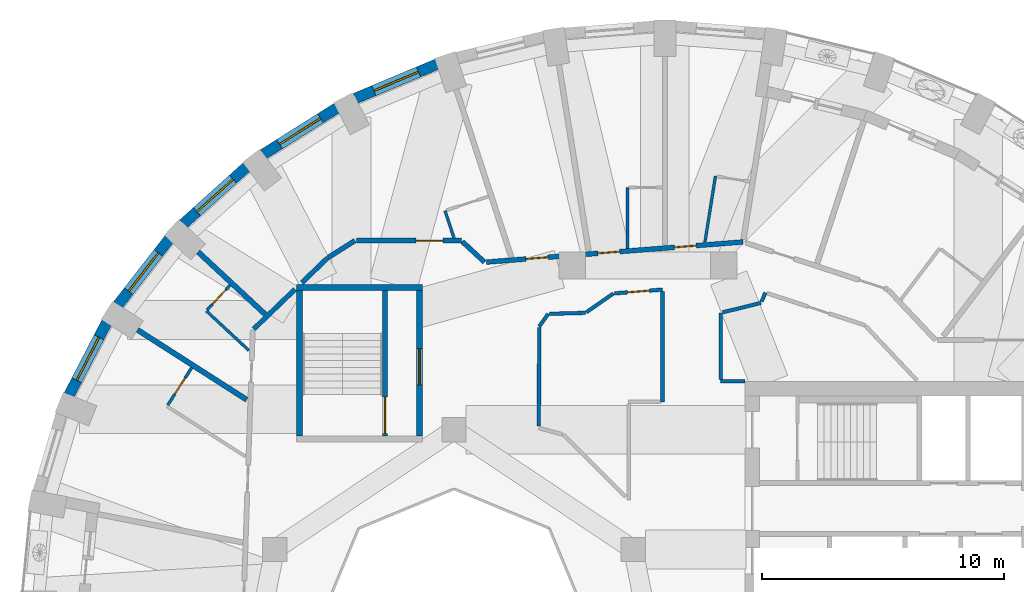
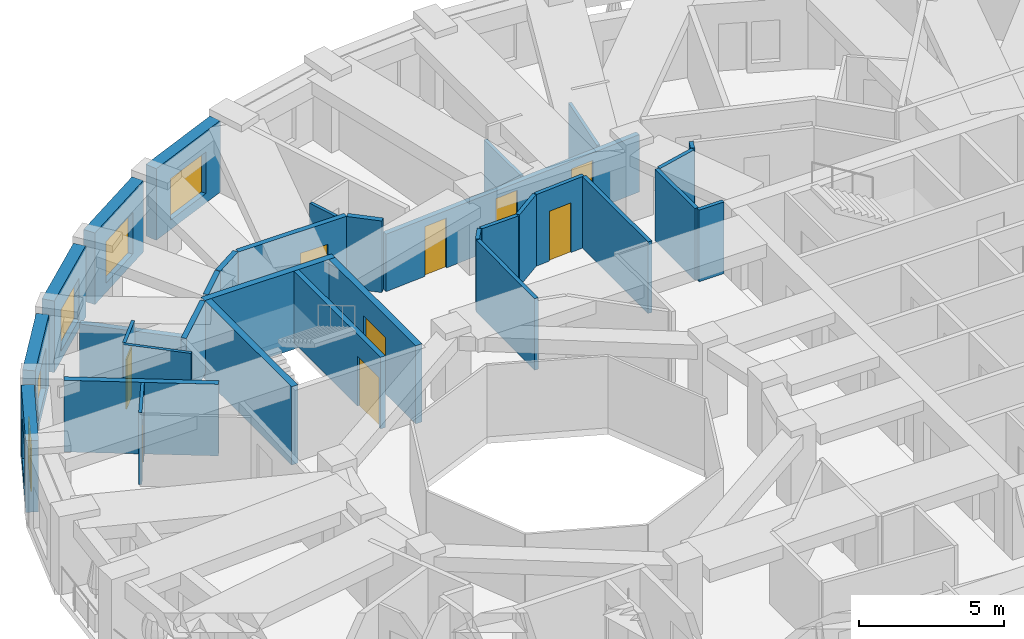
# One storey, part 7 of 12: 33 walls, 9 doors, 5 windows, 14 openings.
"""IFC4 building model written with IfcOpenShell, lengths in metres."""

from ifc_helpers import new_model, si_unit, direction, frame, frame_2d, origin, place, context, subcontext, project, spatial, rectangle, extrude, material, layer, layer_set, type_object, element, fill, save


model = new_model("IFC4")

# Units and contexts
model_context = context("Model", 3, precision=1e-05, world=origin(), true_north=direction((0.0, 1.0)))
body_context = subcontext(model_context, "Body", "Model", "MODEL_VIEW")
ifc_project = project(units=[si_unit("LENGTHUNIT", "METRE"), si_unit("AREAUNIT", "SQUARE_METRE"), si_unit("VOLUMEUNIT", "CUBIC_METRE"), si_unit("PLANEANGLEUNIT", "RADIAN"), si_unit("MASSUNIT", "GRAM", prefix="KILO")], contexts=[model_context])

# Site, building, storey
site_placement = place(None, origin())
site = spatial("IfcSite", under=ifc_project, at=site_placement, CompositionType="ELEMENT")
building_placement = place(site_placement, origin())
building = spatial("IfcBuilding", under=site, at=building_placement, Name="Taillehof Tower", CompositionType="ELEMENT")
storey_placement = place(building_placement, frame((0.0, 0.0, 192.5)))
storey = spatial("IfcBuildingStorey", under=building, at=storey_placement, Name="L54", CompositionType="ELEMENT", Elevation=192.5)

# Wall, opening, window
ifc_material_1 = material(Name="Brick masonry", Category="masonry")
ifc_layer_1 = layer(ifc_material_1, 0.449951171875)
ifc_layer_set_1 = layer_set([ifc_layer_1], Name="Brick infill wall 450")
wall_type_1 = type_object("IfcWallType", Name="Brick infill wall 450", PredefinedType="SOLIDWALL", material=ifc_layer_set_1)
wall_1_placement = place(storey_placement, frame((-8.70263671875, 23.0791015625, 0.0), z_axis=(0.0, 0.0, 1.0), x_axis=(-0.922168222612, -0.386789050006, 0.0)))
wall_1 = element("IfcWall", 1, at=wall_1_placement, inside=storey, type_object=wall_type_1, Name="Brick wall L54 bay 12", PredefinedType="SOLIDWALL", context=body_context, shape_type="SweptSolid", body=[
    extrude(rectangle(XDim=3.65087890625, YDim=0.449951171875, at=frame_2d((1.825439453125, 0.0))), origin(), (0.0, 0.0, 1.0), 3.02001953125),
])
opening_1_placement = place(wall_1_placement, frame((0.825439453125, 0.0, 0.39990234375)))
opening_1 = element("IfcOpeningElement", 2, at=opening_1_placement, cuts=wall_1, Name="Opening W2", PredefinedType="OPENING", context=body_context, shape_type="SweptSolid", body=[
    extrude(rectangle(XDim=2.0, YDim=1.75, at=frame_2d((1.0, 0.875))), frame((0.0, 0.23486328125, 0.0), z_axis=(0.0, -1.0, 0.0), x_axis=(1.0, 0.0, 0.0)), (0.0, 0.0, 1.0), 0.469970703125),
])
ifc_material_2 = material(Name="Aluminium window frame with clear double glazing", Category="aluminium")
window_type = type_object("IfcWindowType", Name="Deep-set window 2000x1750", PartitioningType="SINGLE_PANEL", PredefinedType="WINDOW", material=ifc_material_2)
window_1_placement = place(opening_1_placement, origin())
window_1 = element("IfcWindow", 3, at=window_1_placement, inside=storey, type_object=window_type, Name="W2", OverallHeight=1.75, OverallWidth=2.0, PartitioningType="SINGLE_PANEL", PredefinedType="WINDOW", context=body_context, shape_type="SweptSolid", body=[
    extrude(rectangle(XDim=2.0, YDim=1.75, at=frame_2d((1.0, 0.875))), frame((0.0, 0.034912109375, 0.0), z_axis=(0.0, -1.0, 0.0), x_axis=(1.0, 0.0, 0.0)), (0.0, 0.0, 1.0), 0.06005859375),
])
fill(opening_1, window_1)

wall_2_placement = place(storey_placement, frame((-12.832275390625, 21.27001953125, 0.0), z_axis=(0.0, 0.0, 1.0), x_axis=(-0.846138482752, -0.532963101918, 0.0)))
wall_2 = element("IfcWall", 4, at=wall_2_placement, inside=storey, type_object=wall_type_1, Name="Brick wall L54 bay 13", PredefinedType="SOLIDWALL", context=body_context, shape_type="SweptSolid", body=[
    extrude(rectangle(XDim=3.586669921875, YDim=0.449951171875, at=frame_2d((1.79345703125, 0.0))), origin(), (0.0, 0.0, 1.0), 3.02001953125),
])
opening_2_placement = place(wall_2_placement, frame((0.79345703125, 0.0, 0.39990234375)))
opening_2 = element("IfcOpeningElement", 5, at=opening_2_placement, cuts=wall_2, Name="Opening W2", PredefinedType="OPENING", context=body_context, shape_type="SweptSolid", body=[
    extrude(rectangle(XDim=2.0, YDim=1.75, at=frame_2d((1.0, 0.875))), frame((0.0, 0.23486328125, 0.0), z_axis=(0.0, -1.0, 0.0), x_axis=(1.0, 0.0, 0.0)), (0.0, 0.0, 1.0), 0.469970703125),
])
window_2_placement = place(opening_2_placement, origin())
window_2 = element("IfcWindow", 6, at=window_2_placement, inside=storey, type_object=window_type, Name="W2", OverallHeight=1.75, OverallWidth=2.0, PartitioningType="SINGLE_PANEL", PredefinedType="WINDOW", context=body_context, shape_type="SweptSolid", body=[
    extrude(rectangle(XDim=2.0, YDim=1.75, at=frame_2d((1.0, 0.875))), frame((0.0, 0.034912109375, 0.0), z_axis=(0.0, -1.0, 0.0), x_axis=(1.0, 0.0, 0.0)), (0.0, 0.0, 1.0), 0.06005859375),
])
fill(opening_2, window_2)

wall_3_placement = place(storey_placement, frame((-16.553466796875, 18.83984375, 0.0), z_axis=(0.0, 0.0, 1.0), x_axis=(-0.743442727602, -0.668799604348, 0.0)))
wall_3 = element("IfcWall", 7, at=wall_3_placement, inside=storey, type_object=wall_type_1, Name="Brick wall L54 bay 14", PredefinedType="SOLIDWALL", context=body_context, shape_type="SweptSolid", body=[
    extrude(rectangle(XDim=3.5126953125, YDim=0.449951171875, at=frame_2d((1.75634765625, 0.0))), origin(), (0.0, 0.0, 1.0), 3.02001953125),
])
opening_3_placement = place(wall_3_placement, frame((0.75634765625, 0.0, 0.39990234375)))
opening_3 = element("IfcOpeningElement", 8, at=opening_3_placement, cuts=wall_3, Name="Opening W2", PredefinedType="OPENING", context=body_context, shape_type="SweptSolid", body=[
    extrude(rectangle(XDim=2.0, YDim=1.75, at=frame_2d((1.0, 0.875))), frame((0.0, 0.23486328125, 0.0), z_axis=(0.0, -1.0, 0.0), x_axis=(1.0, 0.0, 0.0)), (0.0, 0.0, 1.0), 0.469970703125),
])
window_3_placement = place(opening_3_placement, origin())
window_3 = element("IfcWindow", 9, at=window_3_placement, inside=storey, type_object=window_type, Name="W2", OverallHeight=1.75, OverallWidth=2.0, PartitioningType="SINGLE_PANEL", PredefinedType="WINDOW", context=body_context, shape_type="SweptSolid", body=[
    extrude(rectangle(XDim=2.0, YDim=1.75, at=frame_2d((1.0, 0.875))), frame((0.0, 0.034912109375, 0.0), z_axis=(0.0, -1.0, 0.0), x_axis=(1.0, 0.0, 0.0)), (0.0, 0.0, 1.0), 0.06005859375),
])
fill(opening_3, window_3)

wall_4_placement = place(storey_placement, frame((-19.751220703125, 15.861083984375, 0.0), z_axis=(0.0, 0.0, 1.0), x_axis=(-0.614220816451, -0.789134201919, 0.0)))
wall_4 = element("IfcWall", 10, at=wall_4_placement, inside=storey, type_object=wall_type_1, Name="Brick wall L54 bay 15", PredefinedType="SOLIDWALL", context=body_context, shape_type="SweptSolid", body=[
    extrude(rectangle(XDim=3.437744140625, YDim=0.449951171875, at=frame_2d((1.71875, 0.0))), origin(), (0.0, 0.0, 1.0), 3.02001953125),
])
opening_4_placement = place(wall_4_placement, frame((0.71875, 0.0, 0.39990234375)))
opening_4 = element("IfcOpeningElement", 11, at=opening_4_placement, cuts=wall_4, Name="Opening W2", PredefinedType="OPENING", context=body_context, shape_type="SweptSolid", body=[
    extrude(rectangle(XDim=2.0, YDim=1.75, at=frame_2d((1.0, 0.875))), frame((0.0, 0.23486328125, 0.0), z_axis=(0.0, -1.0, 0.0), x_axis=(1.0, 0.0, 0.0)), (0.0, 0.0, 1.0), 0.469970703125),
])
window_4_placement = place(opening_4_placement, origin())
window_4 = element("IfcWindow", 12, at=window_4_placement, inside=storey, type_object=window_type, Name="W2", OverallHeight=1.75, OverallWidth=2.0, PartitioningType="SINGLE_PANEL", PredefinedType="WINDOW", context=body_context, shape_type="SweptSolid", body=[
    extrude(rectangle(XDim=2.0, YDim=1.75, at=frame_2d((1.0, 0.875))), frame((0.0, 0.034912109375, 0.0), z_axis=(0.0, -1.0, 0.0), x_axis=(1.0, 0.0, 0.0)), (0.0, 0.0, 1.0), 0.06005859375),
])
fill(opening_4, window_4)

wall_5_placement = place(storey_placement, frame((-22.326904296875, 12.424072265625, 0.0), z_axis=(0.0, 0.0, 1.0), x_axis=(-0.460232593174, -0.887798378113, 0.0)))
wall_5 = element("IfcWall", 13, at=wall_5_placement, inside=storey, type_object=wall_type_1, Name="Brick wall L54 bay 16", PredefinedType="SOLIDWALL", context=body_context, shape_type="SweptSolid", body=[
    extrude(rectangle(XDim=3.37060546875, YDim=0.449951171875, at=frame_2d((1.685302734375, 0.0))), origin(), (0.0, 0.0, 1.0), 3.02001953125),
])
opening_5_placement = place(wall_5_placement, frame((0.685302734375, 0.0, 0.39990234375)))
opening_5 = element("IfcOpeningElement", 14, at=opening_5_placement, cuts=wall_5, Name="Opening W2", PredefinedType="OPENING", context=body_context, shape_type="SweptSolid", body=[
    extrude(rectangle(XDim=2.0, YDim=1.75, at=frame_2d((1.0, 0.875))), frame((0.0, 0.23486328125, 0.0), z_axis=(0.0, -1.0, 0.0), x_axis=(1.0, 0.0, 0.0)), (0.0, 0.0, 1.0), 0.469970703125),
])
window_5_placement = place(opening_5_placement, origin())
window_5 = element("IfcWindow", 15, at=window_5_placement, inside=storey, type_object=window_type, Name="W2", OverallHeight=1.75, OverallWidth=2.0, PartitioningType="SINGLE_PANEL", PredefinedType="WINDOW", context=body_context, shape_type="SweptSolid", body=[
    extrude(rectangle(XDim=2.0, YDim=1.75, at=frame_2d((1.0, 0.875))), frame((0.0, 0.034912109375, 0.0), z_axis=(0.0, -1.0, 0.0), x_axis=(1.0, 0.0, 0.0)), (0.0, 0.0, 1.0), 0.06005859375),
])
fill(opening_5, window_5)

# Walls
ifc_material_3 = material(Name="Gypsum board on steel studs, two layers each side", Category="steel")
ifc_layer_2 = layer(ifc_material_3, 0.199951171875)
ifc_layer_set_2 = layer_set([ifc_layer_2], Name="Compartment wall corridor 200")
wall_type_2 = type_object("IfcWallType", Name="Compartment wall corridor 200", PredefinedType="PARTITIONING", material=ifc_layer_set_2)
wall_6_placement = place(storey_placement, frame((-16.2568359375, 12.15673828125, 0.0), z_axis=(0.0, 0.0, 1.0), x_axis=(0.720356671174, 0.693603825174, 0.0)))
element("IfcWall", 16, at=wall_6_placement, inside=storey, type_object=wall_type_2, Name="Compartment wall", PredefinedType="PARTITIONING", context=body_context, shape_type="SweptSolid", body=[
    extrude(rectangle(XDim=2.3544921875, YDim=0.199951171875, at=frame_2d((1.17724609375, 0.0))), origin(), (0.0, 0.0, 1.0), 3.02001953125),
])
wall_7_placement = place(storey_placement, frame((-14.27783203125, 14.062255859375, 0.0), z_axis=(0.0, 0.0, 1.0), x_axis=(0.720213092954, 0.693752910435, 0.0)))
element("IfcWall", 17, at=wall_7_placement, inside=storey, type_object=wall_type_2, Name="Compartment wall", PredefinedType="PARTITIONING", context=body_context, shape_type="SweptSolid", body=[
    extrude(rectangle(XDim=1.476318359375, YDim=0.199951171875, at=frame_2d((0.73828125, 0.0))), origin(), (0.0, 0.0, 1.0), 3.02001953125),
])
wall_8_placement = place(storey_placement, frame((-13.19775390625, 15.09716796875, 0.0), z_axis=(0.0, 0.0, 1.0), x_axis=(0.845466863805, 0.534027885234, 0.0)))
element("IfcWall", 18, at=wall_8_placement, inside=storey, type_object=wall_type_2, Name="Compartment wall", PredefinedType="PARTITIONING", context=body_context, shape_type="SweptSolid", body=[
    extrude(rectangle(XDim=1.316162109375, YDim=0.199951171875, at=frame_2d((0.658203125, 0.0))), origin(), (0.0, 0.0, 1.0), 3.02001953125),
])

# Wall, opening, door
wall_9_placement = place(storey_placement, frame((-12.02490234375, 15.800048828125, 0.0), z_axis=(0.0, 0.0, 1.0), x_axis=(1.0, 0.0, 0.0)))
wall_9 = element("IfcWall", 19, at=wall_9_placement, inside=storey, type_object=wall_type_2, Name="Compartment wall", PredefinedType="PARTITIONING", context=body_context, shape_type="SweptSolid", body=[
    extrude(rectangle(XDim=4.324951171875, YDim=0.199951171875, at=frame_2d((2.16259765625, 0.0))), origin(), (0.0, 0.0, 1.0), 3.02001953125),
])
opening_6_placement = place(wall_9_placement, frame((2.46142578125, 0.0, 0.0)))
opening_6 = element("IfcOpeningElement", 20, at=opening_6_placement, cuts=wall_9, Name="Opening D5448", PredefinedType="OPENING", context=body_context, shape_type="SweptSolid", body=[
    extrude(rectangle(XDim=1.10009765625, YDim=2.10009765625, at=frame_2d((0.550048828125, 1.050048828125))), frame((0.0, 0.10986328125, 0.0), z_axis=(0.0, -1.0, 0.0), x_axis=(1.0, 0.0, 0.0)), (0.0, 0.0, 1.0), 0.219970703125),
])
ifc_material_4 = material(Name="Timber door leaf in steel frame", Category="steel")
door_type_1 = type_object("IfcDoorType", Name="Suite entrance door EI 30 1100 x 2100", OperationType="SINGLE_SWING_LEFT", PredefinedType="DOOR", material=ifc_material_4)
door_1_placement = place(opening_6_placement, origin())
door_1 = element("IfcDoor", 21, at=door_1_placement, inside=storey, type_object=door_type_1, Name="D5448", OperationType="SINGLE_SWING_RIGHT", OverallHeight=2.10009765625, OverallWidth=1.10009765625, PredefinedType="DOOR", context=body_context, shape_type="SweptSolid", body=[
    extrude(rectangle(XDim=1.10009765625, YDim=2.10009765625, at=frame_2d((0.550048828125, 1.050048828125))), frame((0.0, 0.02490234375, 0.0), z_axis=(0.0, -1.0, 0.0), x_axis=(1.0, 0.0, 0.0)), (0.0, 0.0, 1.0), 0.050048828125),
])
fill(opening_6, door_1)

# Wall
wall_10_placement = place(storey_placement, frame((-7.656005859375, 15.759033203125, 0.0), z_axis=(0.0, 0.0, 1.0), x_axis=(0.734444455547, -0.678668801196, 0.0)))
element("IfcWall", 22, at=wall_10_placement, inside=storey, type_object=wall_type_2, Name="Compartment wall", PredefinedType="PARTITIONING", context=body_context, shape_type="SweptSolid", body=[
    extrude(rectangle(XDim=1.251953125, YDim=0.199951171875, at=frame_2d((0.6259765625, 0.0))), origin(), (0.0, 0.0, 1.0), 3.02001953125),
])

# Wall, openings, doors
wall_11_placement = place(storey_placement, frame((-6.656494140625, 14.915283203125, 0.0), z_axis=(0.0, 0.0, 1.0), x_axis=(0.99693112817, 0.07828362335, 0.0)))
wall_11 = element("IfcWall", 23, at=wall_11_placement, inside=storey, type_object=wall_type_2, Name="Compartment wall", PredefinedType="PARTITIONING", context=body_context, shape_type="SweptSolid", body=[
    extrude(rectangle(XDim=10.609619140625, YDim=0.199951171875, at=frame_2d((5.3046875, 0.0))), origin(), (0.0, 0.0, 1.0), 2.419921875),
])
opening_7_placement = place(wall_11_placement, frame((7.773193359375, 0.0, 0.0)))
opening_7 = element("IfcOpeningElement", 24, at=opening_7_placement, cuts=wall_11, Name="Opening D5443", PredefinedType="OPENING", context=body_context, shape_type="SweptSolid", body=[
    extrude(rectangle(XDim=0.89990234375, YDim=2.10009765625, at=frame_2d((0.449951171875, 1.050048828125))), frame((0.0, 0.10986328125, 0.0), z_axis=(0.0, -1.0, 0.0), x_axis=(1.0, 0.0, 0.0)), (0.0, 0.0, 1.0), 0.219970703125),
])
opening_8_placement = place(wall_11_placement, frame((4.607666015625, 0.0, 0.0)))
opening_8 = element("IfcOpeningElement", 25, at=opening_8_placement, cuts=wall_11, Name="Opening D5445", PredefinedType="OPENING", context=body_context, shape_type="SweptSolid", body=[
    extrude(rectangle(XDim=0.89990234375, YDim=2.10009765625, at=frame_2d((0.449951171875, 1.050048828125))), frame((0.0, 0.10986328125, 0.0), z_axis=(0.0, -1.0, 0.0), x_axis=(1.0, 0.0, 0.0)), (0.0, 0.0, 1.0), 0.219970703125),
])
opening_9_placement = place(wall_11_placement, frame((1.6318359375, 0.0, 0.0)))
opening_9 = element("IfcOpeningElement", 26, at=opening_9_placement, cuts=wall_11, Name="Opening D5447", PredefinedType="OPENING", context=body_context, shape_type="SweptSolid", body=[
    extrude(rectangle(XDim=0.89990234375, YDim=2.10009765625, at=frame_2d((0.449951171875, 1.050048828125))), frame((0.0, 0.10986328125, 0.0), z_axis=(0.0, -1.0, 0.0), x_axis=(1.0, 0.0, 0.0)), (0.0, 0.0, 1.0), 0.219970703125),
])
ifc_material_5 = material(Name="Timber door leaf in steel frame", Category="steel")
door_type_2 = type_object("IfcDoorType", Name="Guest room door EI 30 900 x 2100", OperationType="SINGLE_SWING_LEFT", PredefinedType="DOOR", material=ifc_material_5)
door_2_placement = place(opening_7_placement, origin())
door_2 = element("IfcDoor", 27, at=door_2_placement, inside=storey, type_object=door_type_2, Name="D5443", OperationType="SINGLE_SWING_RIGHT", OverallHeight=2.10009765625, OverallWidth=0.89990234375, PredefinedType="DOOR", context=body_context, shape_type="SweptSolid", body=[
    extrude(rectangle(XDim=0.89990234375, YDim=2.10009765625, at=frame_2d((0.449951171875, 1.050048828125))), frame((0.0, 0.02490234375, 0.0), z_axis=(0.0, -1.0, 0.0), x_axis=(1.0, 0.0, 0.0)), (0.0, 0.0, 1.0), 0.050048828125),
])
fill(opening_7, door_2)
door_3_placement = place(opening_8_placement, origin())
door_3 = element("IfcDoor", 28, at=door_3_placement, inside=storey, type_object=door_type_2, Name="D5445", OperationType="SINGLE_SWING_RIGHT", OverallHeight=2.10009765625, OverallWidth=0.89990234375, PredefinedType="DOOR", context=body_context, shape_type="SweptSolid", body=[
    extrude(rectangle(XDim=0.89990234375, YDim=2.10009765625, at=frame_2d((0.449951171875, 1.050048828125))), frame((0.0, 0.02490234375, 0.0), z_axis=(0.0, -1.0, 0.0), x_axis=(1.0, 0.0, 0.0)), (0.0, 0.0, 1.0), 0.050048828125),
])
fill(opening_8, door_3)
ifc_material_6 = material(Name="Timber door leaf in steel frame", Category="steel")
door_type_3 = type_object("IfcDoorType", Name="Service room door EI 30 900 x 2100", OperationType="SINGLE_SWING_LEFT", PredefinedType="DOOR", material=ifc_material_6)
door_4_placement = place(opening_9_placement, origin())
door_4 = element("IfcDoor", 29, at=door_4_placement, inside=storey, type_object=door_type_3, Name="D5447", OperationType="SINGLE_SWING_LEFT", OverallHeight=2.10009765625, OverallWidth=0.89990234375, PredefinedType="DOOR", context=body_context, shape_type="SweptSolid", body=[
    extrude(rectangle(XDim=0.89990234375, YDim=2.10009765625, at=frame_2d((0.449951171875, 1.050048828125))), frame((0.0, 0.02490234375, 0.0), z_axis=(0.0, -1.0, 0.0), x_axis=(1.0, 0.0, 0.0)), (0.0, 0.0, 1.0), 0.050048828125),
])
fill(opening_9, door_4)

# Walls
ifc_material_7 = material(Name="Gypsum board on double steel studs with mineral wool", Category="steel")
ifc_layer_3 = layer(ifc_material_7, 0.219970703125)
ifc_layer_set_3 = layer_set([ifc_layer_3], Name="Compartment wall guest room 220")
wall_type_3 = type_object("IfcWallType", Name="Compartment wall guest room 220", PredefinedType="PARTITIONING", material=ifc_layer_set_3)
wall_12_placement = place(storey_placement, frame((-18.552978515625, 15.333984375, 0.0), z_axis=(0.0, 0.0, 1.0), x_axis=(0.732303975018, -0.680977891105, 0.0)))
element("IfcWall", 30, at=wall_12_placement, inside=storey, type_object=wall_type_3, Name="Compartment wall", PredefinedType="PARTITIONING", context=body_context, shape_type="SweptSolid", body=[
    extrude(rectangle(XDim=3.767333984375, YDim=0.219970703125, at=frame_2d((1.8837890625, 0.0))), origin(), (0.0, 0.0, 1.0), 2.570068359375),
])
wall_13_placement = place(storey_placement, frame((-21.054931640625, 12.120849609375, 0.0), z_axis=(0.0, 0.0, 1.0), x_axis=(0.842281345898, -0.539038156675, 0.0)))
element("IfcWall", 31, at=wall_13_placement, inside=storey, type_object=wall_type_3, Name="Compartment wall", PredefinedType="PARTITIONING", context=body_context, shape_type="SweptSolid", body=[
    extrude(rectangle(XDim=5.349853515625, YDim=0.219970703125, at=frame_2d((2.6748046875, 0.0))), origin(), (0.0, 0.0, 1.0), 3.02001953125),
])
ifc_material_8 = material(Name="Gypsum board on steel studs, two layers each side", Category="steel")
ifc_layer_4 = layer(ifc_material_8, 0.14990234375)
ifc_layer_set_4 = layer_set([ifc_layer_4], Name="Compartment wall service room 150")
wall_type_4 = type_object("IfcWallType", Name="Compartment wall service room 150", PredefinedType="PARTITIONING", material=ifc_layer_set_4)
wall_14_placement = place(storey_placement, frame((4.0009765625, 10.0, 0.0), z_axis=(0.0, 0.0, 1.0), x_axis=(-1.0, 0.0, 0.0)))
element("IfcWall", 32, at=wall_14_placement, inside=storey, type_object=wall_type_4, Name="Compartment wall", PredefinedType="PARTITIONING", context=body_context, shape_type="SweptSolid", body=[
    extrude(rectangle(XDim=1.0009765625, YDim=0.14990234375, at=frame_2d((0.50048828125, 0.0))), origin(), (0.0, 0.0, 1.0), 3.02001953125),
])
wall_15_placement = place(storey_placement, frame((3.0, 10.080078125, 0.0), z_axis=(0.0, 0.0, 1.0), x_axis=(0.0, 1.0, 0.0)))
element("IfcWall", 33, at=wall_15_placement, inside=storey, type_object=wall_type_4, Name="Compartment wall", PredefinedType="PARTITIONING", context=body_context, shape_type="SweptSolid", body=[
    extrude(rectangle(XDim=2.741943359375, YDim=0.14990234375, at=frame_2d((1.37109375, 0.0))), origin(), (0.0, 0.0, 1.0), 3.02001953125),
])
wall_16_placement = place(storey_placement, frame((3.078125, 12.841552734375, 0.0), z_axis=(0.0, 0.0, 1.0), x_axis=(0.9710404657, 0.238915076906, 0.0)))
element("IfcWall", 34, at=wall_16_placement, inside=storey, type_object=wall_type_4, Name="Compartment wall", PredefinedType="PARTITIONING", context=body_context, shape_type="SweptSolid", body=[
    extrude(rectangle(XDim=1.635009765625, YDim=0.14990234375, at=frame_2d((0.8173828125, 0.0))), origin(), (0.0, 0.0, 1.0), 3.02001953125),
])
wall_17_placement = place(storey_placement, frame((4.6884765625, 13.287841796875, 0.0), z_axis=(0.0, 0.0, 1.0), x_axis=(0.38330857492, 0.923620342128, 0.0)))
element("IfcWall", 35, at=wall_17_placement, inside=storey, type_object=wall_type_4, Name="Compartment wall", PredefinedType="PARTITIONING", context=body_context, shape_type="SweptSolid", body=[
    extrude(rectangle(XDim=0.398193359375, YDim=0.14990234375, at=frame_2d((0.19921875, 0.0))), origin(), (0.0, 0.0, 1.0), 3.02001953125),
])
wall_18_placement = place(storey_placement, frame((-4.487060546875, 12.257568359375, 0.0), z_axis=(0.0, 0.0, 1.0), x_axis=(0.582280364551, 0.812988054684, 0.0)))
element("IfcWall", 36, at=wall_18_placement, inside=storey, type_object=wall_type_4, Name="Compartment wall", PredefinedType="PARTITIONING", context=body_context, shape_type="SweptSolid", body=[
    extrude(rectangle(XDim=0.642333984375, YDim=0.14990234375, at=frame_2d((0.3212890625, 0.0))), origin(), (0.0, 0.0, 1.0), 3.02001953125),
])
wall_19_placement = place(storey_placement, frame((-4.052978515625, 12.78125, 0.0), z_axis=(0.0, 0.0, 1.0), x_axis=(0.999619372091, 0.027588239157, 0.0)))
element("IfcWall", 37, at=wall_19_placement, inside=storey, type_object=wall_type_4, Name="Compartment wall", PredefinedType="PARTITIONING", context=body_context, shape_type="SweptSolid", body=[
    extrude(rectangle(XDim=1.477783203125, YDim=0.14990234375, at=frame_2d((0.73876953125, 0.0))), origin(), (0.0, 0.0, 1.0), 3.02001953125),
])
wall_20_placement = place(storey_placement, frame((-2.54296875, 12.844970703125, 0.0), z_axis=(0.0, 0.0, 1.0), x_axis=(0.821558970312, 0.570123546523, 0.0)))
element("IfcWall", 38, at=wall_20_placement, inside=storey, type_object=wall_type_4, Name="Compartment wall", PredefinedType="PARTITIONING", context=body_context, shape_type="SweptSolid", body=[
    extrude(rectangle(XDim=1.361328125, YDim=0.14990234375, at=frame_2d((0.6806640625, 0.0))), origin(), (0.0, 0.0, 1.0), 3.02001953125),
])

# Wall, opening, door
wall_21_placement = place(storey_placement, frame((-1.384521484375, 13.6240234375, 0.0), z_axis=(0.0, 0.0, 1.0), x_axis=(0.996924678821, 0.078365711621, 0.0)))
wall_21 = element("IfcWall", 39, at=wall_21_placement, inside=storey, type_object=wall_type_4, Name="Compartment wall", PredefinedType="PARTITIONING", context=body_context, shape_type="SweptSolid", body=[
    extrude(rectangle(XDim=1.99072265625, YDim=0.14990234375, at=frame_2d((0.995361328125, 0.0))), origin(), (0.0, 0.0, 1.0), 3.02001953125),
])
opening_10_placement = place(wall_21_placement, frame((0.54541015625, 0.0, 0.0)))
opening_10 = element("IfcOpeningElement", 40, at=opening_10_placement, cuts=wall_21, Name="Opening D5472", PredefinedType="OPENING", context=body_context, shape_type="SweptSolid", body=[
    extrude(rectangle(XDim=0.89990234375, YDim=2.10009765625, at=frame_2d((0.449951171875, 1.050048828125))), frame((0.0, 0.0849609375, 0.0), z_axis=(0.0, -1.0, 0.0), x_axis=(1.0, 0.0, 0.0)), (0.0, 0.0, 1.0), 0.169921875),
])
door_5_placement = place(opening_10_placement, origin())
door_5 = element("IfcDoor", 41, at=door_5_placement, inside=storey, type_object=door_type_3, Name="D5472", OperationType="SINGLE_SWING_RIGHT", OverallHeight=2.10009765625, OverallWidth=0.89990234375, PredefinedType="DOOR", context=body_context, shape_type="SweptSolid", body=[
    extrude(rectangle(XDim=0.89990234375, YDim=2.10009765625, at=frame_2d((0.449951171875, 1.050048828125))), frame((0.0, 0.02490234375, 0.0), z_axis=(0.0, -1.0, 0.0), x_axis=(1.0, 0.0, 0.0)), (0.0, 0.0, 1.0), 0.050048828125),
])
fill(opening_10, door_5)

# Walls
wall_22_placement = place(storey_placement, frame((0.60009765625, 13.699951171875, 0.0), z_axis=(0.0, 0.0, 1.0), x_axis=(0.0, -1.0, 0.0)))
element("IfcWall", 42, at=wall_22_placement, inside=storey, type_object=wall_type_4, Name="Compartment wall", PredefinedType="PARTITIONING", context=body_context, shape_type="SweptSolid", body=[
    extrude(rectangle(XDim=4.550048828125, YDim=0.14990234375, at=frame_2d((2.27490234375, 0.0))), origin(), (0.0, 0.0, 1.0), 3.02001953125),
])
wall_23_placement = place(storey_placement, frame((-4.5, 8.149169921875, 0.0), z_axis=(0.0, 0.0, 1.0), x_axis=(0.003180492795, 0.99999494222, 0.0)))
element("IfcWall", 43, at=wall_23_placement, inside=storey, type_object=wall_type_4, Name="Compartment wall", PredefinedType="PARTITIONING", context=body_context, shape_type="SweptSolid", body=[
    extrude(rectangle(XDim=4.068359375, YDim=0.14990234375, at=frame_2d((2.0341796875, 0.0))), origin(), (0.0, 0.0, 1.0), 3.02001953125),
])
ifc_material_9 = material(Name="Gypsum board on steel studs, moisture resistant", Category="steel")
ifc_layer_5 = layer(ifc_material_9, 0.1201171875)
ifc_layer_set_5 = layer_set([ifc_layer_5], Name="En-suite wall 120")
wall_type_5 = type_object("IfcWallType", Name="En-suite wall 120", PredefinedType="PARTITIONING", material=ifc_layer_set_5)
wall_24_placement = place(storey_placement, frame((2.3505859375, 15.742431640625, 0.0), z_axis=(0.0, 0.0, 1.0), x_axis=(0.15712488734, 0.987578741052, 0.0)))
element("IfcWall", 44, at=wall_24_placement, inside=storey, type_object=wall_type_5, Name="En-suite wall", PredefinedType="PARTITIONING", context=body_context, shape_type="SweptSolid", body=[
    extrude(rectangle(XDim=2.750244140625, YDim=0.1201171875, at=frame_2d((1.375, 0.0))), origin(), (0.0, 0.0, 1.0), 2.469970703125),
])
wall_25_placement = place(storey_placement, frame((-0.85009765625, 15.4716796875, 0.0), z_axis=(0.0, 0.0, 1.0), x_axis=(0.0, 1.0, 0.0)))
element("IfcWall", 45, at=wall_25_placement, inside=storey, type_object=wall_type_5, Name="En-suite wall", PredefinedType="PARTITIONING", context=body_context, shape_type="SweptSolid", body=[
    extrude(rectangle(XDim=2.521484375, YDim=0.1201171875, at=frame_2d((1.2607421875, 0.0))), origin(), (0.0, 0.0, 1.0), 2.469970703125),
])
wall_26_placement = place(storey_placement, frame((-8.00390625, 15.919189453125, 0.0), z_axis=(0.0, 0.0, 1.0), x_axis=(-0.31198444573, 0.950087209483, 0.0)))
element("IfcWall", 46, at=wall_26_placement, inside=storey, type_object=wall_type_5, Name="En-suite wall", PredefinedType="PARTITIONING", context=body_context, shape_type="SweptSolid", body=[
    extrude(rectangle(XDim=1.174560546875, YDim=0.1201171875, at=frame_2d((0.58740234375, 0.0))), origin(), (0.0, 0.0, 1.0), 3.02001953125),
])
wall_27_placement = place(storey_placement, frame((-16.458740234375, 11.269775390625, 0.0), z_axis=(0.0, 0.0, 1.0), x_axis=(-0.732311710068, 0.68096957296, 0.0)))
element("IfcWall", 47, at=wall_27_placement, inside=storey, type_object=wall_type_5, Name="En-suite wall", PredefinedType="PARTITIONING", context=body_context, shape_type="SweptSolid", body=[
    extrude(rectangle(XDim=2.4013671875, YDim=0.1201171875, at=frame_2d((1.20068359375, 0.0))), origin(), (0.0, 0.0, 1.0), 3.02001953125),
])

# Wall, opening, door
wall_28_placement = place(storey_placement, frame((-18.176513671875, 12.948974609375, 0.0), z_axis=(0.0, 0.0, 1.0), x_axis=(0.681081886823, 0.732207254431, 0.0)))
wall_28 = element("IfcWall", 48, at=wall_28_placement, inside=storey, type_object=wall_type_5, Name="En-suite wall", PredefinedType="PARTITIONING", context=body_context, shape_type="SweptSolid", body=[
    extrude(rectangle(XDim=1.380126953125, YDim=0.1201171875, at=frame_2d((0.68994140625, 0.0))), origin(), (0.0, 0.0, 1.0), 3.02001953125),
])
opening_11_placement = place(wall_28_placement, frame((0.315185546875, 0.0, 0.0)))
opening_11 = element("IfcOpeningElement", 49, at=opening_11_placement, cuts=wall_28, Name="Opening D5451", PredefinedType="OPENING", context=body_context, shape_type="SweptSolid", body=[
    extrude(rectangle(XDim=0.800048828125, YDim=2.10009765625, at=frame_2d((0.39990234375, 1.050048828125))), frame((0.0, 0.070068359375, 0.0), z_axis=(0.0, -1.0, 0.0), x_axis=(1.0, 0.0, 0.0)), (0.0, 0.0, 1.0), 0.14013671875),
])
ifc_material_10 = material(Name="Timber door leaf in steel frame", Category="steel")
door_type_4 = type_object("IfcDoorType", Name="En-suite door 800 x 2100", OperationType="SINGLE_SWING_LEFT", PredefinedType="DOOR", material=ifc_material_10)
door_6_placement = place(opening_11_placement, origin())
door_6 = element("IfcDoor", 50, at=door_6_placement, inside=storey, type_object=door_type_4, Name="D5451", OperationType="SINGLE_SWING_RIGHT", OverallHeight=2.10009765625, OverallWidth=0.800048828125, PredefinedType="DOOR", context=body_context, shape_type="SweptSolid", body=[
    extrude(rectangle(XDim=0.800048828125, YDim=2.10009765625, at=frame_2d((0.39990234375, 1.050048828125))), frame((0.0, 0.02490234375, 0.0), z_axis=(0.0, -1.0, 0.0), x_axis=(1.0, 0.0, 0.0)), (0.0, 0.0, 1.0), 0.050048828125),
])
fill(opening_11, door_6)

wall_29_placement = place(storey_placement, frame((-19.804443359375, 9.017333984375, 0.0), z_axis=(0.0, 0.0, 1.0), x_axis=(0.538962837458, 0.842329543492, 0.0)))
wall_29 = element("IfcWall", 51, at=wall_29_placement, inside=storey, type_object=wall_type_5, Name="En-suite wall", PredefinedType="PARTITIONING", context=body_context, shape_type="SweptSolid", body=[
    extrude(rectangle(XDim=1.830078125, YDim=0.1201171875, at=frame_2d((0.9150390625, 0.0))), origin(), (0.0, 0.0, 1.0), 3.02001953125),
])
opening_12_placement = place(wall_29_placement, frame((0.5400390625, 0.0, 0.0)))
opening_12 = element("IfcOpeningElement", 52, at=opening_12_placement, cuts=wall_29, Name="Opening D5453", PredefinedType="OPENING", context=body_context, shape_type="SweptSolid", body=[
    extrude(rectangle(XDim=0.800048828125, YDim=2.10009765625, at=frame_2d((0.39990234375, 1.050048828125))), frame((0.0, 0.070068359375, 0.0), z_axis=(0.0, -1.0, 0.0), x_axis=(1.0, 0.0, 0.0)), (0.0, 0.0, 1.0), 0.14013671875),
])
door_7_placement = place(opening_12_placement, origin())
door_7 = element("IfcDoor", 53, at=door_7_placement, inside=storey, type_object=door_type_4, Name="D5453", OperationType="SINGLE_SWING_RIGHT", OverallHeight=2.10009765625, OverallWidth=0.800048828125, PredefinedType="DOOR", context=body_context, shape_type="SweptSolid", body=[
    extrude(rectangle(XDim=0.800048828125, YDim=2.10009765625, at=frame_2d((0.39990234375, 1.050048828125))), frame((0.0, 0.02490234375, 0.0), z_axis=(0.0, -1.0, 0.0), x_axis=(1.0, 0.0, 0.0)), (0.0, 0.0, 1.0), 0.050048828125),
])
fill(opening_12, door_7)

ifc_material_11 = material(Name="Concrete C50/60", Category="concrete")
ifc_layer_6 = layer(ifc_material_11, 0.199951171875)
ifc_layer_set_6 = layer_set([ifc_layer_6], Name="Shaft wall C50/60 200")
wall_type_6 = type_object("IfcWallType", Name="Shaft wall C50/60 200", PredefinedType="SHEAR", material=ifc_layer_set_6)
wall_30_placement = place(storey_placement, frame((-10.85009765625, 7.75, 0.0), z_axis=(0.0, 0.0, 1.0), x_axis=(0.0, 1.0, 0.0)))
wall_30 = element("IfcWall", 54, at=wall_30_placement, inside=storey, type_object=wall_type_6, Name="Shaft wall SW", PredefinedType="SHEAR", context=body_context, shape_type="SweptSolid", body=[
    extrude(rectangle(XDim=6.0, YDim=0.199951171875, at=frame_2d((3.0, 0.0))), origin(), (0.0, 0.0, 1.0), 3.02001953125),
])
opening_13_placement = place(wall_30_placement, frame((0.10009765625, 0.0, 0.0)))
opening_13 = element("IfcOpeningElement", 55, at=opening_13_placement, cuts=wall_30, Name="Opening D5412", PredefinedType="OPENING", context=body_context, shape_type="SweptSolid", body=[
    extrude(rectangle(XDim=1.5, YDim=2.10009765625, at=frame_2d((0.75, 1.050048828125))), frame((0.0, 0.10986328125, 0.0), z_axis=(0.0, -1.0, 0.0), x_axis=(1.0, 0.0, 0.0)), (0.0, 0.0, 1.0), 0.219970703125),
])
ifc_material_12 = material(Name="Steel-faced fire door", Category="steel")
door_type_5 = type_object("IfcDoorType", Name="Stair door 1500x2100", OperationType="DOUBLE_DOOR_SINGLE_SWING", PredefinedType="DOOR", material=ifc_material_12)
door_8_placement = place(opening_13_placement, origin())
door_8 = element("IfcDoor", 56, at=door_8_placement, inside=storey, type_object=door_type_5, Name="Stair lobby door S3", OperationType="DOUBLE_DOOR_SINGLE_SWING", OverallHeight=2.10009765625, OverallWidth=1.5, PredefinedType="DOOR", context=body_context, shape_type="SweptSolid", body=[
    extrude(rectangle(XDim=1.5, YDim=2.10009765625, at=frame_2d((0.75, 1.050048828125))), frame((0.0, 0.02490234375, 0.0), z_axis=(0.0, -1.0, 0.0), x_axis=(1.0, 0.0, 0.0)), (0.0, 0.0, 1.0), 0.050048828125),
])
fill(opening_13, door_8)

# Wall
ifc_material_13 = material(Name="Concrete C50/60", Category="concrete")
ifc_layer_7 = layer(ifc_material_13, 0.25)
ifc_layer_set_7 = layer_set([ifc_layer_7], Name="Stair wall C50/60 250")
wall_type_7 = type_object("IfcWallType", Name="Stair wall C50/60 250", PredefinedType="SHEAR", material=ifc_layer_set_7)
wall_31_placement = place(storey_placement, frame((-14.375, 7.75, -0.280029296875), z_axis=(0.0, 0.0, 1.0), x_axis=(0.0, 1.0, 0.0)))
element("IfcWall", 57, at=wall_31_placement, inside=storey, type_object=wall_type_7, Name="Stair wall SC", PredefinedType="SHEAR", context=body_context, shape_type="SweptSolid", body=[
    extrude(rectangle(XDim=6.0, YDim=0.25, at=frame_2d((3.0, 0.0))), origin(), (0.0, 0.0, 1.0), 3.300048828125),
])

# Wall, opening, door
wall_32_placement = place(storey_placement, frame((-9.425048828125, 7.75, -0.280029296875), z_axis=(0.0, 0.0, 1.0), x_axis=(0.0, 1.0, 0.0)))
wall_32 = element("IfcWall", 58, at=wall_32_placement, inside=storey, type_object=wall_type_7, Name="Stair wall SC", PredefinedType="SHEAR", context=body_context, shape_type="SweptSolid", body=[
    extrude(rectangle(XDim=6.0, YDim=0.25, at=frame_2d((3.0, 0.0))), origin(), (0.0, 0.0, 1.0), 3.300048828125),
])
opening_14_placement = place(wall_32_placement, frame((2.10009765625, 0.0, 0.280029296875)))
opening_14 = element("IfcOpeningElement", 59, at=opening_14_placement, cuts=wall_32, Name="Opening D5415", PredefinedType="OPENING", context=body_context, shape_type="SweptSolid", body=[
    extrude(rectangle(XDim=1.5, YDim=2.10009765625, at=frame_2d((0.75, 1.050048828125))), frame((0.0, 0.135009765625, 0.0), z_axis=(0.0, -1.0, 0.0), x_axis=(1.0, 0.0, 0.0)), (0.0, 0.0, 1.0), 0.27001953125),
])
door_9_placement = place(opening_14_placement, origin())
door_9 = element("IfcDoor", 60, at=door_9_placement, inside=storey, type_object=door_type_5, Name="Stair door S3", OperationType="DOUBLE_DOOR_SINGLE_SWING", OverallHeight=2.10009765625, OverallWidth=1.5, PredefinedType="DOOR", context=body_context, shape_type="SweptSolid", body=[
    extrude(rectangle(XDim=1.5, YDim=2.10009765625, at=frame_2d((0.75, 1.050048828125))), frame((0.0, 0.02490234375, 0.0), z_axis=(0.0, -1.0, 0.0), x_axis=(1.0, 0.0, 0.0)), (0.0, 0.0, 1.0), 0.050048828125),
])
fill(opening_14, door_9)

# Wall
wall_33_placement = place(storey_placement, frame((-14.5, 13.875, -0.280029296875), z_axis=(0.0, 0.0, 1.0), x_axis=(1.0, 0.0, 0.0)))
element("IfcWall", 61, at=wall_33_placement, inside=storey, type_object=wall_type_7, Name="Stair wall SC", PredefinedType="SHEAR", context=body_context, shape_type="SweptSolid", body=[
    extrude(rectangle(XDim=5.199951171875, YDim=0.25, at=frame_2d((2.60009765625, 0.0))), origin(), (0.0, 0.0, 1.0), 3.300048828125),
])

save(model, "model.ifc")
